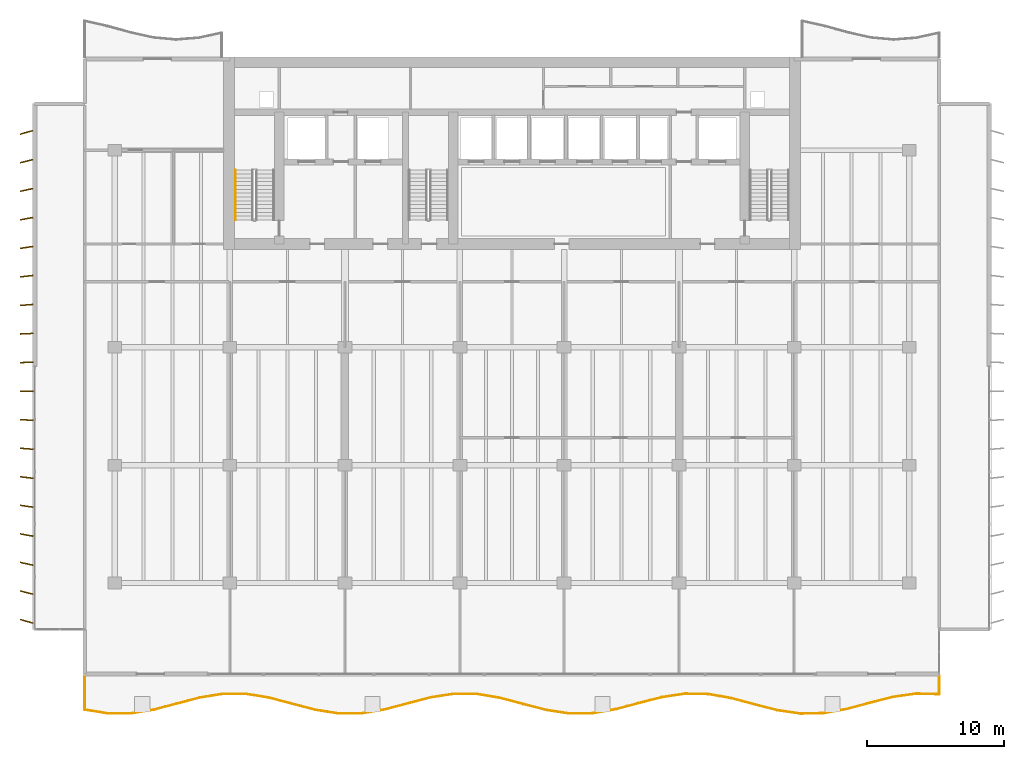
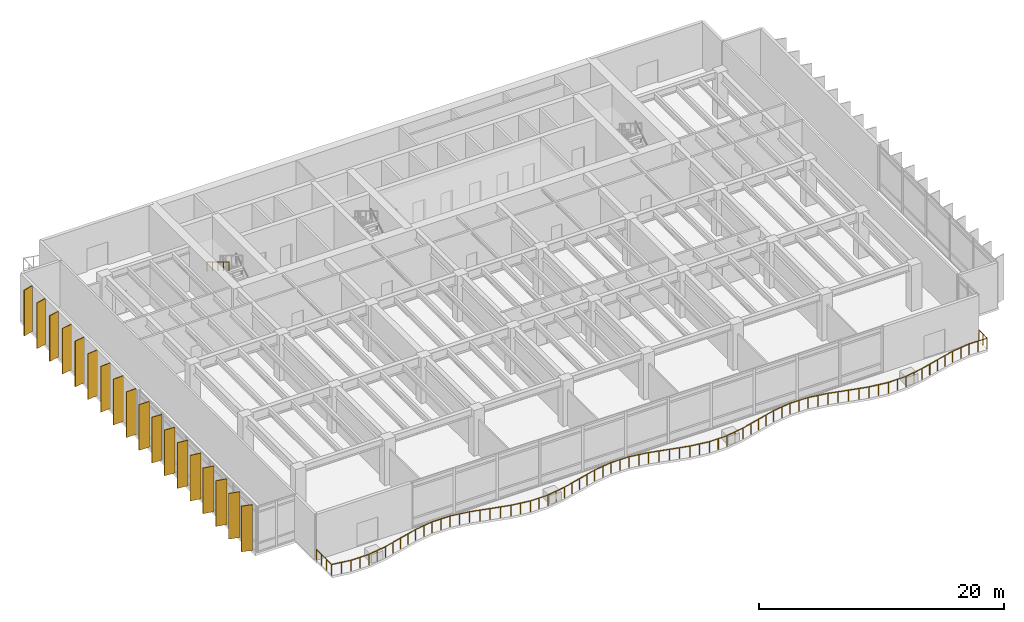
# One storey, part 13 of 16: 18 shading devices, 2 railings.
"""IFC4 building model written with IfcOpenShell, lengths in metres."""

from ifc_helpers import new_model, si_unit, direction, frame, origin, origin_2d, place, context, subcontext, project, spatial, rectangle, circle, extrude, material, material_profile, profile_set, type_object, element, save


model = new_model("IFC4")

# Units and contexts
model_context = context("Model", 3, precision=1e-05, world=origin(), true_north=direction((0.0, 1.0)))
body_context = subcontext(model_context, "Body", "Model", "MODEL_VIEW")
ifc_project = project(units=[si_unit("LENGTHUNIT", "METRE"), si_unit("AREAUNIT", "SQUARE_METRE"), si_unit("VOLUMEUNIT", "CUBIC_METRE"), si_unit("PLANEANGLEUNIT", "RADIAN"), si_unit("MASSUNIT", "GRAM", prefix="KILO")], contexts=[model_context])

# Site, building, storey
site_placement = place(None, origin())
site = spatial("IfcSite", under=ifc_project, at=site_placement, CompositionType="ELEMENT")
building_placement = place(site_placement, origin())
building = spatial("IfcBuilding", under=site, at=building_placement, Name="Caelmar Bay Residences", CompositionType="ELEMENT")
storey_placement = place(building_placement, frame((0.0, 0.0, 97.800048828125)))
storey = spatial("IfcBuildingStorey", under=building, at=storey_placement, Name="L26", CompositionType="ELEMENT", Elevation=97.800048828125)

# Railings
ifc_material_1 = material(Name="Anodised bronze handrail with laminated hurricane glass infill", Category="glass")
railing_type_1 = type_object("IfcRailingType", Name="RL-BAL-1100", PredefinedType="BALUSTRADE", material=ifc_material_1)
railing_1_placement = place(storey_placement, frame((7.699951171875, 5.39990234375, 0.0)))
element("IfcRailing", 1, at=railing_1_placement, inside=storey, type_object=railing_type_1, Name="L26 south Balcony Balustrade", PredefinedType="BALUSTRADE", context=body_context, shape_type="SweptSolid", body=[
    extrude(circle(Radius=0.02392578125, at=origin_2d()), frame((0.0, 0.0, 1.076171875), z_axis=(0.0, -1.0, 0.0), x_axis=(1.0, 0.0, 0.0)), (0.0, 0.0, 1.0), 2.460693359375),
    extrude(circle(Radius=0.02392578125, at=origin_2d()), frame((0.0, -2.460693359375, 1.076171875), z_axis=(0.987132923868, -0.159901815548, 0.0), x_axis=(0.159901815548, 0.987132923868, 0.0)), (0.0, 0.0, 1.0), 1.70849609375),
    extrude(circle(Radius=0.02392578125, at=origin_2d()), frame((1.6865234375, -2.73388671875, 1.076171875), z_axis=(0.999999486594, 0.001013317372, 0.0), x_axis=(-0.001013317372, 0.999999486594, 0.0)), (0.0, 0.0, 1.0), 1.6865234375),
    extrude(circle(Radius=0.02392578125, at=origin_2d()), frame((3.373046875, -2.732177734375, 1.076171875), z_axis=(0.986883688371, 0.161432913703, 0.0), x_axis=(-0.161432913703, 0.986883688371, 0.0)), (0.0, 0.0, 1.0), 1.708984375),
    extrude(circle(Radius=0.02392578125, at=origin_2d()), frame((5.0595703125, -2.456298828125, 1.076171875), z_axis=(0.967096298002, 0.254410594103, 0.0), x_axis=(-0.254410594103, 0.967096298002, 0.0)), (0.0, 0.0, 1.0), 1.74365234375),
    extrude(circle(Radius=0.02392578125, at=origin_2d()), frame((6.745849609375, -2.0126953125, 1.076171875), z_axis=(0.967483280778, 0.252934974679, 0.0), x_axis=(-0.252934974679, 0.967483280778, 0.0)), (0.0, 0.0, 1.0), 1.7431640625),
    extrude(circle(Radius=0.02392578125, at=origin_2d()), frame((8.432373046875, -1.57177734375, 1.076171875), z_axis=(0.987558114501, 0.157254476831, 0.0), x_axis=(-0.157254476831, 0.987558114501, 0.0)), (0.0, 0.0, 1.0), 1.707763671875),
    extrude(circle(Radius=0.02392578125, at=origin_2d()), frame((10.118896484375, -1.30322265625, 1.076171875), z_axis=(0.999990570217, -0.004342750015, 0.0), x_axis=(0.004342750015, 0.999990570217, 0.0)), (0.0, 0.0, 1.0), 1.6865234375),
    extrude(circle(Radius=0.02392578125, at=origin_2d()), frame((11.805419921875, -1.310546875, 1.076171875), z_axis=(0.986471004966, -0.163935830009, 0.0), x_axis=(0.163935830009, 0.986471004966, 0.0)), (0.0, 0.0, 1.0), 1.709716796875),
    extrude(circle(Radius=0.02392578125, at=origin_2d()), frame((13.491943359375, -1.5908203125, 1.076171875), z_axis=(0.966829344983, -0.255423212883, 0.0), x_axis=(0.255423212883, 0.966829344983, 0.0)), (0.0, 0.0, 1.0), 1.744384765625),
    extrude(circle(Radius=0.02392578125, at=origin_2d()), frame((15.178466796875, -2.036376953125, 1.076171875), z_axis=(0.967756968159, -0.251885788759, 0.0), x_axis=(0.251885788759, 0.967756968159, 0.0)), (0.0, 0.0, 1.0), 1.74267578125),
    extrude(circle(Radius=0.02392578125, at=origin_2d()), frame((16.864990234375, -2.475341796875, 1.076171875), z_axis=(0.987998395737, -0.154464138303, 0.0), x_axis=(0.154464138303, 0.987998395737, 0.0)), (0.0, 0.0, 1.0), 1.70703125),
    extrude(circle(Radius=0.02392578125, at=origin_2d()), frame((18.551513671875, -2.739013671875, 1.076171875), z_axis=(0.999970560959, 0.00767314894, 0.0), x_axis=(-0.00767314894, 0.999970560959, 0.0)), (0.0, 0.0, 1.0), 1.686279296875),
    extrude(circle(Radius=0.02392578125, at=origin_2d()), frame((20.23779296875, -2.72607421875, 1.076171875), z_axis=(0.986052329388, 0.16643558426, 0.0), x_axis=(-0.16643558426, 0.986052329388, 0.0)), (0.0, 0.0, 1.0), 1.71044921875),
    extrude(circle(Radius=0.02392578125, at=origin_2d()), frame((21.92431640625, -2.44140625, 1.076171875), z_axis=(0.966621694797, 0.25620792171, 0.0), x_axis=(-0.25620792171, 0.966621694797, 0.0)), (0.0, 0.0, 1.0), 1.744873046875),
    extrude(circle(Radius=0.02392578125, at=origin_2d()), frame((23.61083984375, -1.994384765625, 1.076171875), z_axis=(0.968029671356, 0.250835713915, 0.0), x_axis=(-0.250835713915, 0.968029671356, 0.0)), (0.0, 0.0, 1.0), 1.7421875),
    extrude(circle(Radius=0.02392578125, at=origin_2d()), frame((25.29736328125, -1.557373046875, 1.076171875), z_axis=(0.988388232703, 0.151949667506, 0.0), x_axis=(-0.151949667506, 0.988388232703, 0.0)), (0.0, 0.0, 1.0), 1.706298828125),
    extrude(circle(Radius=0.02392578125, at=origin_2d()), frame((26.98388671875, -1.298095703125, 1.076171875), z_axis=(0.999937883593, -0.011145804435, 0.0), x_axis=(0.011145804435, 0.999937883593, 0.0)), (0.0, 0.0, 1.0), 1.6865234375),
    extrude(circle(Radius=0.02392578125, at=origin_2d()), frame((28.67041015625, -1.31689453125, 1.076171875), z_axis=(0.985627685391, -0.168932133686, 0.0), x_axis=(0.168932133686, 0.985627685391, 0.0)), (0.0, 0.0, 1.0), 1.711181640625),
    extrude(circle(Radius=0.02392578125, at=origin_2d()), frame((30.35693359375, -1.60595703125, 1.076171875), z_axis=(0.966404256029, -0.257026873943, 0.0), x_axis=(0.257026873943, 0.966404256029, 0.0)), (0.0, 0.0, 1.0), 1.744873046875),
    extrude(circle(Radius=0.02392578125, at=origin_2d()), frame((32.043212890625, -2.054443359375, 1.076171875), z_axis=(0.968301387607, -0.249784752854, 0.0), x_axis=(0.249784752854, 0.968301387607, 0.0)), (0.0, 0.0, 1.0), 1.74169921875),
    extrude(circle(Radius=0.02392578125, at=origin_2d()), frame((33.729736328125, -2.489501953125, 1.076171875), z_axis=(0.988793107304, -0.149292300365, 0.0), x_axis=(0.149292300365, 0.988793107304, 0.0)), (0.0, 0.0, 1.0), 1.70556640625),
    extrude(circle(Radius=0.02392578125, at=origin_2d()), frame((35.416259765625, -2.744140625, 1.076171875), z_axis=(0.999895239612, 0.014474453382, 0.0), x_axis=(-0.014474453382, 0.999895239612, 0.0)), (0.0, 0.0, 1.0), 1.686767578125),
    extrude(circle(Radius=0.02392578125, at=origin_2d()), frame((37.102783203125, -2.7197265625, 1.076171875), z_axis=(0.985197097009, 0.171425435814, 0.0), x_axis=(-0.171425435814, 0.985197097009, 0.0)), (0.0, 0.0, 1.0), 1.7119140625),
    extrude(circle(Radius=0.02392578125, at=origin_2d()), frame((38.789306640625, -2.42626953125, 1.076171875), z_axis=(0.966204754092, 0.257775819599, 0.0), x_axis=(-0.257775819599, 0.966204754092, 0.0)), (0.0, 0.0, 1.0), 1.74560546875),
    extrude(circle(Radius=0.02392578125, at=origin_2d()), frame((40.475830078125, -1.976318359375, 1.076171875), z_axis=(0.968572114161, 0.248732908298, 0.0), x_axis=(-0.248732908298, 0.968572114161, 0.0)), (0.0, 0.0, 1.0), 1.7412109375),
    extrude(circle(Radius=0.02392578125, at=origin_2d()), frame((42.162353515625, -1.543212890625, 1.076171875), z_axis=(0.989208844388, 0.146512327756, 0.0), x_axis=(-0.146512327756, 0.989208844388, 0.0)), (0.0, 0.0, 1.0), 1.70458984375),
    extrude(circle(Radius=0.02392578125, at=origin_2d()), frame((43.8486328125, -1.29345703125, 1.076171875), z_axis=(0.999844086604, -0.017657929729, 0.0), x_axis=(0.017657929729, 0.999844086604, 0.0)), (0.0, 0.0, 1.0), 1.686767578125),
    extrude(circle(Radius=0.02392578125, at=origin_2d()), frame((45.53515625, -1.3232421875, 1.076171875), z_axis=(0.984736165002, -0.174053685215, 0.0), x_axis=(0.174053685215, 0.984736165002, 0.0)), (0.0, 0.0, 1.0), 1.712646484375),
    extrude(circle(Radius=0.02392578125, at=origin_2d()), frame((47.2216796875, -1.621337890625, 1.076171875), z_axis=(0.966030385071, -0.258428510656, 0.0), x_axis=(0.258428510656, 0.966030385071, 0.0)), (0.0, 0.0, 1.0), 1.745849609375),
    extrude(circle(Radius=0.02392578125, at=origin_2d()), frame((48.908203125, -2.072509765625, 1.076171875), z_axis=(0.968841848269, -0.247680182983, 0.0), x_axis=(0.247680182983, 0.968841848269, 0.0)), (0.0, 0.0, 1.0), 1.74072265625),
    extrude(circle(Radius=0.02392578125, at=origin_2d()), frame((50.5947265625, -2.503662109375, 1.076171875), z_axis=(0.989623137392, -0.143687320035, 0.0), x_axis=(0.143687320035, 0.989623137392, 0.0)), (0.0, 0.0, 1.0), 1.7041015625),
    extrude(circle(Radius=0.02392578125, at=origin_2d()), frame((52.28125, -2.74853515625, 1.076171875), z_axis=(0.999779715685, 0.020988570837, 0.0), x_axis=(-0.020988570837, 0.999779715685, 0.0)), (0.0, 0.0, 1.0), 1.686767578125),
    extrude(circle(Radius=0.02392578125, at=origin_2d()), frame((53.967529296875, -2.713134765625, 1.076171875), z_axis=(0.984318184636, 0.176402129789, 0.0), x_axis=(-0.176402129789, 0.984318184636, 0.0)), (0.0, 0.0, 1.0), 1.71337890625),
    extrude(circle(Radius=0.02392578125, at=origin_2d()), frame((55.654052734375, -2.410888671875, 1.076171875), z_axis=(0.965785634121, 0.259341683743, 0.0), x_axis=(-0.259341683743, 0.965785634121, 0.0)), (0.0, 0.0, 1.0), 1.746337890625),
    extrude(circle(Radius=0.02392578125, at=origin_2d()), frame((57.340576171875, -1.9580078125, 1.076171875), z_axis=(0.969177616103, 0.246363041962, 0.0), x_axis=(-0.246363041962, 0.969177616103, 0.0)), (0.0, 0.0, 1.0), 1.740234375),
    extrude(circle(Radius=0.02392578125, at=origin_2d()), frame((59.027099609375, -1.529296875, 1.076171875), z_axis=(0.990006737563, 0.141020068003, 0.0), x_axis=(-0.141020068003, 0.990006737563, 0.0)), (0.0, 0.0, 1.0), 1.70361328125),
    extrude(circle(Radius=0.02392578125, at=origin_2d()), frame((60.713623046875, -1.2890625, 1.076171875), z_axis=(0.999700881094, -0.024457071353, 0.0), x_axis=(0.024457071353, 0.999700881094, 0.0)), (0.0, 0.0, 1.0), 1.68701171875),
    extrude(circle(Radius=0.02392578125, at=origin_2d()), frame((62.400146484375, -1.330322265625, 1.076171875), z_axis=(0.0, 1.0, 0.0), x_axis=(-1.0, 0.0, 0.0)), (0.0, 0.0, 1.0), 1.330322265625),
    extrude(circle(Radius=0.02099609375, at=origin_2d()), origin(), (0.0, 0.0, 1.0), 1.052001953125),
    extrude(circle(Radius=0.02099609375, at=origin_2d()), frame((0.0, -0.8203125, 0.0)), (0.0, 0.0, 1.0), 1.052001953125),
    extrude(circle(Radius=0.02099609375, at=origin_2d()), frame((0.0, -1.640380859375, 0.0)), (0.0, 0.0, 1.0), 1.052001953125),
    extrude(circle(Radius=0.02099609375, at=origin_2d()), frame((0.0, -2.460693359375, 0.0)), (0.0, 0.0, 1.0), 1.052001953125),
    extrude(circle(Radius=0.02099609375, at=origin_2d()), frame((0.84326171875, -2.59716796875, 0.0)), (0.0, 0.0, 1.0), 1.052001953125),
    extrude(circle(Radius=0.02099609375, at=origin_2d()), frame((1.6865234375, -2.73388671875, 0.0)), (0.0, 0.0, 1.0), 1.052001953125),
    extrude(circle(Radius=0.02099609375, at=origin_2d()), frame((2.52978515625, -2.73291015625, 0.0)), (0.0, 0.0, 1.0), 1.052001953125),
    extrude(circle(Radius=0.02099609375, at=origin_2d()), frame((3.373046875, -2.732177734375, 0.0)), (0.0, 0.0, 1.0), 1.052001953125),
    extrude(circle(Radius=0.02099609375, at=origin_2d()), frame((4.21630859375, -2.59423828125, 0.0)), (0.0, 0.0, 1.0), 1.052001953125),
    extrude(circle(Radius=0.02099609375, at=origin_2d()), frame((5.0595703125, -2.456298828125, 0.0)), (0.0, 0.0, 1.0), 1.052001953125),
    extrude(circle(Radius=0.02099609375, at=origin_2d()), frame((5.90283203125, -2.234375, 0.0)), (0.0, 0.0, 1.0), 1.052001953125),
    extrude(circle(Radius=0.02099609375, at=origin_2d()), frame((6.745849609375, -2.0126953125, 0.0)), (0.0, 0.0, 1.0), 1.052001953125),
    extrude(circle(Radius=0.02099609375, at=origin_2d()), frame((7.589111328125, -1.792236328125, 0.0)), (0.0, 0.0, 1.0), 1.052001953125),
    extrude(circle(Radius=0.02099609375, at=origin_2d()), frame((8.432373046875, -1.57177734375, 0.0)), (0.0, 0.0, 1.0), 1.052001953125),
    extrude(circle(Radius=0.02099609375, at=origin_2d()), frame((9.275634765625, -1.4375, 0.0)), (0.0, 0.0, 1.0), 1.052001953125),
    extrude(circle(Radius=0.02099609375, at=origin_2d()), frame((10.118896484375, -1.30322265625, 0.0)), (0.0, 0.0, 1.0), 1.052001953125),
    extrude(circle(Radius=0.02099609375, at=origin_2d()), frame((10.962158203125, -1.306884765625, 0.0)), (0.0, 0.0, 1.0), 1.052001953125),
    extrude(circle(Radius=0.02099609375, at=origin_2d()), frame((11.805419921875, -1.310546875, 0.0)), (0.0, 0.0, 1.0), 1.052001953125),
    extrude(circle(Radius=0.02099609375, at=origin_2d()), frame((12.648681640625, -1.45068359375, 0.0)), (0.0, 0.0, 1.0), 1.052001953125),
    extrude(circle(Radius=0.02099609375, at=origin_2d()), frame((13.491943359375, -1.5908203125, 0.0)), (0.0, 0.0, 1.0), 1.052001953125),
    extrude(circle(Radius=0.02099609375, at=origin_2d()), frame((14.335205078125, -1.8134765625, 0.0)), (0.0, 0.0, 1.0), 1.052001953125),
    extrude(circle(Radius=0.02099609375, at=origin_2d()), frame((15.178466796875, -2.036376953125, 0.0)), (0.0, 0.0, 1.0), 1.052001953125),
    extrude(circle(Radius=0.02099609375, at=origin_2d()), frame((16.021728515625, -2.255859375, 0.0)), (0.0, 0.0, 1.0), 1.052001953125),
    extrude(circle(Radius=0.02099609375, at=origin_2d()), frame((16.864990234375, -2.475341796875, 0.0)), (0.0, 0.0, 1.0), 1.052001953125),
    extrude(circle(Radius=0.02099609375, at=origin_2d()), frame((17.708251953125, -2.607177734375, 0.0)), (0.0, 0.0, 1.0), 1.052001953125),
    extrude(circle(Radius=0.02099609375, at=origin_2d()), frame((18.551513671875, -2.739013671875, 0.0)), (0.0, 0.0, 1.0), 1.052001953125),
    extrude(circle(Radius=0.02099609375, at=origin_2d()), frame((19.39453125, -2.732421875, 0.0)), (0.0, 0.0, 1.0), 1.052001953125),
    extrude(circle(Radius=0.02099609375, at=origin_2d()), frame((20.23779296875, -2.72607421875, 0.0)), (0.0, 0.0, 1.0), 1.052001953125),
    extrude(circle(Radius=0.02099609375, at=origin_2d()), frame((21.0810546875, -2.583740234375, 0.0)), (0.0, 0.0, 1.0), 1.052001953125),
    extrude(circle(Radius=0.02099609375, at=origin_2d()), frame((21.92431640625, -2.44140625, 0.0)), (0.0, 0.0, 1.0), 1.052001953125),
    extrude(circle(Radius=0.02099609375, at=origin_2d()), frame((22.767578125, -2.2177734375, 0.0)), (0.0, 0.0, 1.0), 1.052001953125),
    extrude(circle(Radius=0.02099609375, at=origin_2d()), frame((23.61083984375, -1.994384765625, 0.0)), (0.0, 0.0, 1.0), 1.052001953125),
    extrude(circle(Radius=0.02099609375, at=origin_2d()), frame((24.4541015625, -1.77587890625, 0.0)), (0.0, 0.0, 1.0), 1.052001953125),
    extrude(circle(Radius=0.02099609375, at=origin_2d()), frame((25.29736328125, -1.557373046875, 0.0)), (0.0, 0.0, 1.0), 1.052001953125),
    extrude(circle(Radius=0.02099609375, at=origin_2d()), frame((26.140625, -1.427734375, 0.0)), (0.0, 0.0, 1.0), 1.052001953125),
    extrude(circle(Radius=0.02099609375, at=origin_2d()), frame((26.98388671875, -1.298095703125, 0.0)), (0.0, 0.0, 1.0), 1.052001953125),
    extrude(circle(Radius=0.02099609375, at=origin_2d()), frame((27.8271484375, -1.3076171875, 0.0)), (0.0, 0.0, 1.0), 1.052001953125),
    extrude(circle(Radius=0.02099609375, at=origin_2d()), frame((28.67041015625, -1.31689453125, 0.0)), (0.0, 0.0, 1.0), 1.052001953125),
    extrude(circle(Radius=0.02099609375, at=origin_2d()), frame((29.513671875, -1.46142578125, 0.0)), (0.0, 0.0, 1.0), 1.052001953125),
    extrude(circle(Radius=0.02099609375, at=origin_2d()), frame((30.35693359375, -1.60595703125, 0.0)), (0.0, 0.0, 1.0), 1.052001953125),
    extrude(circle(Radius=0.02099609375, at=origin_2d()), frame((31.2001953125, -1.830078125, 0.0)), (0.0, 0.0, 1.0), 1.052001953125),
    extrude(circle(Radius=0.02099609375, at=origin_2d()), frame((32.043212890625, -2.054443359375, 0.0)), (0.0, 0.0, 1.0), 1.052001953125),
    extrude(circle(Radius=0.02099609375, at=origin_2d()), frame((32.886474609375, -2.27197265625, 0.0)), (0.0, 0.0, 1.0), 1.052001953125),
    extrude(circle(Radius=0.02099609375, at=origin_2d()), frame((33.729736328125, -2.489501953125, 0.0)), (0.0, 0.0, 1.0), 1.052001953125),
    extrude(circle(Radius=0.02099609375, at=origin_2d()), frame((34.572998046875, -2.61669921875, 0.0)), (0.0, 0.0, 1.0), 1.052001953125),
    extrude(circle(Radius=0.02099609375, at=origin_2d()), frame((35.416259765625, -2.744140625, 0.0)), (0.0, 0.0, 1.0), 1.052001953125),
    extrude(circle(Radius=0.02099609375, at=origin_2d()), frame((36.259521484375, -2.73193359375, 0.0)), (0.0, 0.0, 1.0), 1.052001953125),
    extrude(circle(Radius=0.02099609375, at=origin_2d()), frame((37.102783203125, -2.7197265625, 0.0)), (0.0, 0.0, 1.0), 1.052001953125),
    extrude(circle(Radius=0.02099609375, at=origin_2d()), frame((37.946044921875, -2.572998046875, 0.0)), (0.0, 0.0, 1.0), 1.052001953125),
    extrude(circle(Radius=0.02099609375, at=origin_2d()), frame((38.789306640625, -2.42626953125, 0.0)), (0.0, 0.0, 1.0), 1.052001953125),
    extrude(circle(Radius=0.02099609375, at=origin_2d()), frame((39.632568359375, -2.201171875, 0.0)), (0.0, 0.0, 1.0), 1.052001953125),
    extrude(circle(Radius=0.02099609375, at=origin_2d()), frame((40.475830078125, -1.976318359375, 0.0)), (0.0, 0.0, 1.0), 1.052001953125),
    extrude(circle(Radius=0.02099609375, at=origin_2d()), frame((41.319091796875, -1.759765625, 0.0)), (0.0, 0.0, 1.0), 1.052001953125),
    extrude(circle(Radius=0.02099609375, at=origin_2d()), frame((42.162353515625, -1.543212890625, 0.0)), (0.0, 0.0, 1.0), 1.052001953125),
    extrude(circle(Radius=0.02099609375, at=origin_2d()), frame((43.00537109375, -1.41845703125, 0.0)), (0.0, 0.0, 1.0), 1.052001953125),
    extrude(circle(Radius=0.02099609375, at=origin_2d()), frame((43.8486328125, -1.29345703125, 0.0)), (0.0, 0.0, 1.0), 1.052001953125),
    extrude(circle(Radius=0.02099609375, at=origin_2d()), frame((44.69189453125, -1.308349609375, 0.0)), (0.0, 0.0, 1.0), 1.052001953125),
    extrude(circle(Radius=0.02099609375, at=origin_2d()), frame((45.53515625, -1.3232421875, 0.0)), (0.0, 0.0, 1.0), 1.052001953125),
    extrude(circle(Radius=0.02099609375, at=origin_2d()), frame((46.37841796875, -1.47216796875, 0.0)), (0.0, 0.0, 1.0), 1.052001953125),
    extrude(circle(Radius=0.02099609375, at=origin_2d()), frame((47.2216796875, -1.621337890625, 0.0)), (0.0, 0.0, 1.0), 1.052001953125),
    extrude(circle(Radius=0.02099609375, at=origin_2d()), frame((48.06494140625, -1.846923828125, 0.0)), (0.0, 0.0, 1.0), 1.052001953125),
    extrude(circle(Radius=0.02099609375, at=origin_2d()), frame((48.908203125, -2.072509765625, 0.0)), (0.0, 0.0, 1.0), 1.052001953125),
    extrude(circle(Radius=0.02099609375, at=origin_2d()), frame((49.75146484375, -2.2880859375, 0.0)), (0.0, 0.0, 1.0), 1.052001953125),
    extrude(circle(Radius=0.02099609375, at=origin_2d()), frame((50.5947265625, -2.503662109375, 0.0)), (0.0, 0.0, 1.0), 1.052001953125),
    extrude(circle(Radius=0.02099609375, at=origin_2d()), frame((51.43798828125, -2.6259765625, 0.0)), (0.0, 0.0, 1.0), 1.052001953125),
    extrude(circle(Radius=0.02099609375, at=origin_2d()), frame((52.28125, -2.74853515625, 0.0)), (0.0, 0.0, 1.0), 1.052001953125),
    extrude(circle(Radius=0.02099609375, at=origin_2d()), frame((53.12451171875, -2.73095703125, 0.0)), (0.0, 0.0, 1.0), 1.052001953125),
    extrude(circle(Radius=0.02099609375, at=origin_2d()), frame((53.967529296875, -2.713134765625, 0.0)), (0.0, 0.0, 1.0), 1.052001953125),
    extrude(circle(Radius=0.02099609375, at=origin_2d()), frame((54.810791015625, -2.56201171875, 0.0)), (0.0, 0.0, 1.0), 1.052001953125),
    extrude(circle(Radius=0.02099609375, at=origin_2d()), frame((55.654052734375, -2.410888671875, 0.0)), (0.0, 0.0, 1.0), 1.052001953125),
    extrude(circle(Radius=0.02099609375, at=origin_2d()), frame((56.497314453125, -2.1845703125, 0.0)), (0.0, 0.0, 1.0), 1.052001953125),
    extrude(circle(Radius=0.02099609375, at=origin_2d()), frame((57.340576171875, -1.9580078125, 0.0)), (0.0, 0.0, 1.0), 1.052001953125),
    extrude(circle(Radius=0.02099609375, at=origin_2d()), frame((58.183837890625, -1.74365234375, 0.0)), (0.0, 0.0, 1.0), 1.052001953125),
    extrude(circle(Radius=0.02099609375, at=origin_2d()), frame((59.027099609375, -1.529296875, 0.0)), (0.0, 0.0, 1.0), 1.052001953125),
    extrude(circle(Radius=0.02099609375, at=origin_2d()), frame((59.870361328125, -1.4091796875, 0.0)), (0.0, 0.0, 1.0), 1.052001953125),
    extrude(circle(Radius=0.02099609375, at=origin_2d()), frame((60.713623046875, -1.2890625, 0.0)), (0.0, 0.0, 1.0), 1.052001953125),
    extrude(circle(Radius=0.02099609375, at=origin_2d()), frame((61.556884765625, -1.3095703125, 0.0)), (0.0, 0.0, 1.0), 1.052001953125),
    extrude(circle(Radius=0.02099609375, at=origin_2d()), frame((62.400146484375, -1.330322265625, 0.0)), (0.0, 0.0, 1.0), 1.052001953125),
    extrude(circle(Radius=0.02099609375, at=origin_2d()), frame((62.400146484375, -0.6650390625, 0.0)), (0.0, 0.0, 1.0), 1.052001953125),
    extrude(circle(Radius=0.02099609375, at=origin_2d()), frame((62.400146484375, 0.0, 0.0)), (0.0, 0.0, 1.0), 1.052001953125),
])
ifc_material_2 = material(Name="Brushed bronze stainless-steel tubular handrail 900 mm", Category="steel")
railing_type_2 = type_object("IfcRailingType", Name="RL-HND-900", PredefinedType="HANDRAIL", material=ifc_material_2)
railing_2_placement = place(storey_placement, frame((18.699951171875, 42.340087890625, 2.5712890625)))
element("IfcRailing", 2, at=railing_2_placement, inside=storey, type_object=railing_type_2, Name="L26 ST1 stair handrail 2", PredefinedType="HANDRAIL", context=body_context, shape_type="SweptSolid", body=[
    extrude(circle(Radius=0.02392578125, at=origin_2d()), frame((0.0, 0.0, 0.8759765625), z_axis=(0.0, -0.852840387347, 0.522171689878), x_axis=(1.0, 0.0, 0.0)), (0.0, 0.0, 1.0), 4.268310546875),
    extrude(circle(Radius=0.02099609375, at=origin_2d()), origin(), (0.0, 0.0, 1.0), 0.851806640625),
    extrude(circle(Radius=0.02099609375, at=origin_2d()), frame((0.0, -0.91015625, 0.55712890625)), (0.0, 0.0, 1.0), 0.851806640625),
    extrude(circle(Radius=0.02099609375, at=origin_2d()), frame((0.0, -1.820068359375, 1.1142578125)), (0.0, 0.0, 1.0), 0.851806640625),
    extrude(circle(Radius=0.02099609375, at=origin_2d()), frame((0.0, -2.72998046875, 1.671630859375)), (0.0, 0.0, 1.0), 0.851806640625),
    extrude(circle(Radius=0.02099609375, at=origin_2d()), frame((0.0, -3.64013671875, 2.228759765625)), (0.0, 0.0, 1.0), 0.851806640625),
])

# Shading devices
ifc_material_3 = material(Name="Anodised architectural bronze aluminium 6063-T6", Category="aluminium")
ifc_material_profile = material_profile(ifc_material_3, rectangle(XDim=0.074951171875, YDim=0.949951171875, at=origin_2d()), Name="BRONZE-FIN-75X950")
ifc_profile_set = profile_set([ifc_material_profile], Name="Anodised architectural bronze aluminium 6063-T6")
shading_device_type = type_object("IfcShadingDeviceType", Name="SHD-FIN-950", PredefinedType="USERDEFINED", material=ifc_profile_set)
for number, where, z_axis, x_axis, name in (
    (3, (3.449951171875, 9.39990234375, 0.0), (0.0, 0.0, 1.0), (0.275637355817, 0.961261695938, 0.0), "L26 West Bronze Solar Fin 1"),
    (4, (3.449951171875, 11.5, 0.0), (0.0, 0.0, 1.0), (0.243953546137, 0.969786918517, 0.0), "L26 West Bronze Solar Fin 2"),
    (5, (3.449951171875, 13.60009765625, 0.0), (0.0, 0.0, 1.0), (0.212007109922, 0.977268123568, 0.0), "L26 West Bronze Solar Fin 3"),
    (6, (3.449951171875, 15.699951171875, 0.0), (0.0, 0.0, 1.0), (0.179660748593, 0.98372862895, 0.0), "L26 West Bronze Solar Fin 4"),
    (7, (3.449951171875, 17.800048828125, 0.0), (0.0, 0.0, 1.0), (0.147291543397, 0.989093120613, 0.0), "L26 West Bronze Solar Fin 5"),
    (8, (3.449951171875, 19.89990234375, 0.0), (0.0, 0.0, 1.0), (0.114763772489, 0.993392810787, 0.0), "L26 West Bronze Solar Fin 6"),
    (9, (3.449951171875, 22.0, 0.0), (0.0, 0.0, 1.0), (0.08211245342, 0.996623070671, 0.0), "L26 West Bronze Solar Fin 7"),
    (10, (3.449951171875, 24.10009765625, 0.0), (0.0, 0.0, 1.0), (0.049198415926, 0.998789024705, 0.0), "L26 West Bronze Solar Fin 8"),
    (11, (3.449951171875, 26.199951171875, 0.0), (0.0, 0.0, 1.0), (0.016405359001, 0.999865423043, 0.0), "L26 West Bronze Solar Fin 9"),
    (12, (3.449951171875, 28.300048828125, 0.0), (0.0, 0.0, 1.0), (-0.016405359001, 0.999865423043, 0.0), "L26 West Bronze Solar Fin 10"),
    (13, (3.449951171875, 30.39990234375, 0.0), (0.0, 0.0, 1.0), (-0.049198415926, 0.998789024705, 0.0), "L26 West Bronze Solar Fin 11"),
    (14, (3.449951171875, 32.5, 0.0), (0.0, 0.0, 1.0), (-0.08211245342, 0.996623070671, 0.0), "L26 West Bronze Solar Fin 12"),
    (15, (3.449951171875, 34.60009765625, 0.0), (0.0, 0.0, 1.0), (-0.114763772489, 0.993392810787, 0.0), "L26 West Bronze Solar Fin 13"),
    (16, (3.449951171875, 36.699951171875, 0.0), (0.0, 0.0, 1.0), (-0.147291543397, 0.989093120613, 0.0), "L26 West Bronze Solar Fin 14"),
    (17, (3.449951171875, 38.800048828125, 0.0), (0.0, 0.0, 1.0), (-0.179660748593, 0.98372862895, 0.0), "L26 West Bronze Solar Fin 15"),
    (18, (3.449951171875, 40.89990234375, 0.0), (0.0, 0.0, 1.0), (-0.212007109922, 0.977268123568, 0.0), "L26 West Bronze Solar Fin 16"),
    (19, (3.449951171875, 43.0, 0.0), (0.0, 0.0, 1.0), (-0.243953546137, 0.969786918517, 0.0), "L26 West Bronze Solar Fin 17"),
    (20, (3.449951171875, 45.10009765625, 0.0), (0.0, 0.0, 1.0), (-0.275637355817, 0.961261695938, 0.0), "L26 West Bronze Solar Fin 18"),
):
    element("IfcShadingDevice", number, at=place(storey_placement, frame(where, z_axis=z_axis, x_axis=x_axis)), inside=storey, type_object=shading_device_type, Name=name, ObjectType="FIN", PredefinedType="USERDEFINED", context=body_context, shape_type="SweptSolid", body=[
        extrude(rectangle(XDim=0.074951171875, YDim=0.949951171875, at=origin_2d()), origin(), (0.0, 0.0, 1.0), 4.550048828125),
    ])

save(model, "model.ifc")
